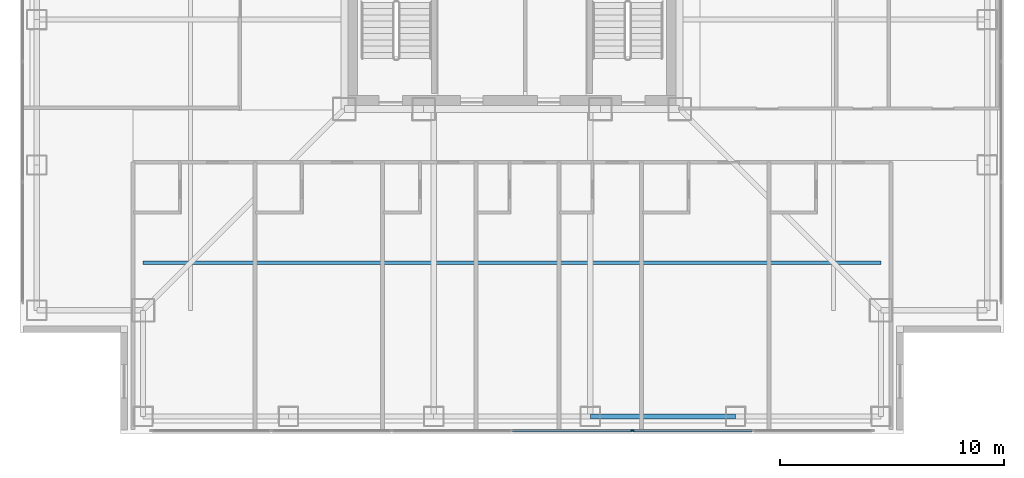
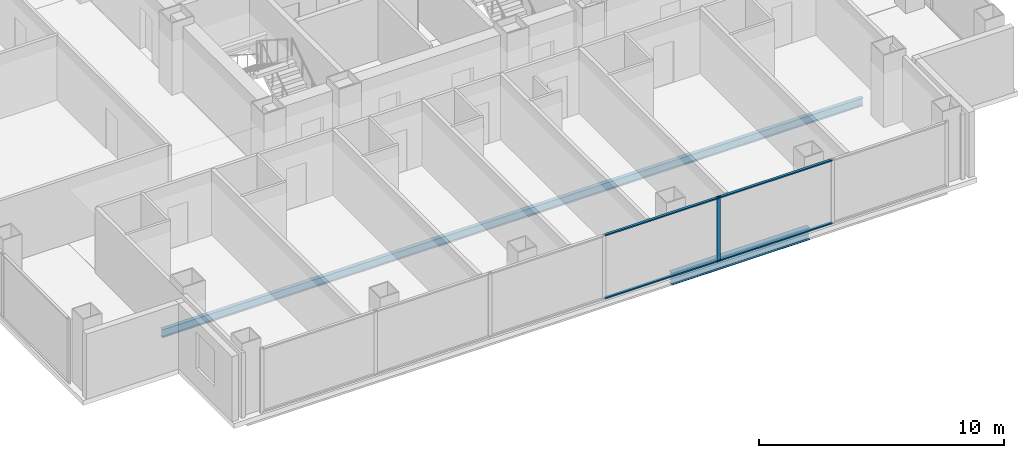
# One storey, part 3 of 18: 5 members, 2 beams, 1 element without a shape of its own.
"""IFC4 building model written with IfcOpenShell, lengths in metres."""

from ifc_helpers import new_model, si_unit, direction, frame, origin, origin_2d, place, context, subcontext, project, spatial, rectangle, i_section, extrude, material, layer, layer_set, material_profile, profile_set, type_object, element, aggregate, save


model = new_model("IFC4")

# Units and contexts
model_context = context("Model", 3, precision=1e-05, world=origin(), true_north=direction((0.0, 1.0)))
body_context = subcontext(model_context, "Body", "Model", "MODEL_VIEW")
ifc_project = project(units=[si_unit("LENGTHUNIT", "METRE"), si_unit("AREAUNIT", "SQUARE_METRE"), si_unit("VOLUMEUNIT", "CUBIC_METRE"), si_unit("PLANEANGLEUNIT", "RADIAN"), si_unit("MASSUNIT", "GRAM", prefix="KILO")], contexts=[model_context])

# Site, building, storey
site_placement = place(None, origin())
site = spatial("IfcSite", under=ifc_project, at=site_placement, CompositionType="ELEMENT")
building_placement = place(site_placement, origin())
building = spatial("IfcBuilding", under=site, at=building_placement, Name="Trevonay Congress Spire", CompositionType="ELEMENT")
storey_placement = place(building_placement, frame((0.0, 0.0, 151.60009765625)))
storey = spatial("IfcBuildingStorey", under=building, at=storey_placement, Name="L39", CompositionType="ELEMENT", Elevation=151.60009765625)

# Beam
ifc_material_1 = material(Name="Steel ASTM A572 Grade 50", Category="steel")
ifc_material_profile_1 = material_profile(ifc_material_1, i_section(OverallWidth=0.22802734375, OverallDepth=0.60791015625, WebThickness=0.01123046875, FlangeThickness=0.017333984375, FilletRadius=0.01611328125, at=origin_2d()), Name="W610x113")
ifc_profile_set_1 = profile_set([ifc_material_profile_1], Name="Steel ASTM A572 Grade 50")
beam_type_1 = type_object("IfcBeamType", Name="BM-RING-W610X113", PredefinedType="BEAM", material=ifc_profile_set_1)
beam_1_placement = place(storey_placement, frame((3.5, -21.25, -0.544189453125), z_axis=(1.0, 0.0, 0.0), x_axis=(0.0, 1.0, 0.0)))
element("IfcBeam", 1, at=beam_1_placement, inside=storey, type_object=beam_type_1, Name="L39 structural beam BM-L39-PS4", PredefinedType="BEAM", context=body_context, shape_type="SweptSolid", body=[
    extrude(i_section(OverallWidth=0.22802734375, OverallDepth=0.60791015625, WebThickness=0.01123046875, FlangeThickness=0.017333984375, FilletRadius=0.01611328125, at=origin_2d()), origin(), (0.0, 0.0, 1.0), 6.5),
])

# Curtain wall, members
ifc_material_2 = material(Name="Pale Anodised Aluminium EN AW-6063-T6", Category="aluminium")
ifc_layer = layer(ifc_material_2, 0.175048828125, Name="Pale Anodised Aluminium EN AW-6063-T6")
ifc_layer_set = layer_set([ifc_layer], Name="Pale Anodised Aluminium EN AW-6063-T6")
curtain_wall_type = type_object("IfcCurtainWallType", Name="CW-SYS03-CONGRESS-PALE-METAL", PredefinedType="NOTDEFINED", material=ifc_layer_set)
curtain_wall_placement = place(storey_placement, origin())
curtain_wall = element("IfcCurtainWall", 2, at=curtain_wall_placement, inside=storey, type_object=curtain_wall_type, Name="L39 S unitised curtain wall", PredefinedType="NOTDEFINED")
ifc_material_profile_2 = material_profile(ifc_material_2, rectangle(XDim=0.06005859375, YDim=0.159912109375, at=origin_2d()), Name="CW-MULLION-160-ALUMINIUM")
ifc_profile_set_2 = profile_set([ifc_material_profile_2], Name="Pale Anodised Aluminium EN AW-6063-T6")
member_type_1 = type_object("IfcMemberType", Name="CW-MULLION-160-ALUMINIUM", PredefinedType="MULLION", material=ifc_profile_set_2)
member_1_placement = place(storey_placement, frame((5.38330078125, -21.8798828125, 0.0), z_axis=(0.0, 0.0, 1.0), x_axis=(0.0, 1.0, 0.0)))
member_1 = element("IfcMember", 3, at=member_1_placement, type_object=member_type_1, Name="CW03 mullion 5", PredefinedType="MULLION", context=body_context, shape_type="SweptSolid", body=[
    extrude(rectangle(XDim=0.06005859375, YDim=0.159912109375, at=origin_2d()), origin(), (0.0, 0.0, 1.0), 3.25),
])
ifc_material_profile_3 = material_profile(ifc_material_2, rectangle(XDim=0.1201171875, YDim=0.06005859375, at=origin_2d()), Name="CW-TRANSOM-120-ALUMINIUM")
ifc_profile_set_3 = profile_set([ifc_material_profile_3], Name="Pale Anodised Aluminium EN AW-6063-T6")
member_type_2 = type_object("IfcMemberType", Name="CW-TRANSOM-120-ALUMINIUM", PredefinedType="USERDEFINED", material=ifc_profile_set_3)
member_2_placement = place(storey_placement, frame((0.030029296875, -21.8798828125, 0.059814453125), z_axis=(1.0, 0.0, 0.0), x_axis=(0.0, 1.0, 0.0)))
member_2 = element("IfcMember", 4, at=member_2_placement, type_object=member_type_2, Name="CW03 transom 4.1", ObjectType="TRANSOM", PredefinedType="USERDEFINED", context=body_context, shape_type="SweptSolid", body=[
    extrude(rectangle(XDim=0.1201171875, YDim=0.06005859375, at=origin_2d()), origin(), (0.0, 0.0, 1.0), 5.3232421875),
])
member_3_placement = place(storey_placement, frame((0.030029296875, -21.8798828125, 3.18994140625), z_axis=(1.0, 0.0, 0.0), x_axis=(0.0, 1.0, 0.0)))
member_3 = element("IfcMember", 5, at=member_3_placement, type_object=member_type_2, Name="CW03 transom 4.2", ObjectType="TRANSOM", PredefinedType="USERDEFINED", context=body_context, shape_type="SweptSolid", body=[
    extrude(rectangle(XDim=0.1201171875, YDim=0.06005859375, at=origin_2d()), origin(), (0.0, 0.0, 1.0), 5.3232421875),
])
member_4_placement = place(storey_placement, frame((5.413330078125, -21.8798828125, 0.059814453125), z_axis=(1.0, 0.0, 0.0), x_axis=(0.0, 1.0, 0.0)))
member_4 = element("IfcMember", 6, at=member_4_placement, type_object=member_type_2, Name="CW03 transom 5.1", ObjectType="TRANSOM", PredefinedType="USERDEFINED", context=body_context, shape_type="SweptSolid", body=[
    extrude(rectangle(XDim=0.1201171875, YDim=0.06005859375, at=origin_2d()), origin(), (0.0, 0.0, 1.0), 5.3232421875),
])
member_5_placement = place(storey_placement, frame((5.413330078125, -21.8798828125, 3.18994140625), z_axis=(1.0, 0.0, 0.0), x_axis=(0.0, 1.0, 0.0)))
member_5 = element("IfcMember", 7, at=member_5_placement, type_object=member_type_2, Name="CW03 transom 5.2", ObjectType="TRANSOM", PredefinedType="USERDEFINED", context=body_context, shape_type="SweptSolid", body=[
    extrude(rectangle(XDim=0.1201171875, YDim=0.06005859375, at=origin_2d()), origin(), (0.0, 0.0, 1.0), 5.3232421875),
])
aggregate(curtain_wall, [member_1, member_2, member_3, member_4, member_5])

# Beam
ifc_material_profile_4 = material_profile(ifc_material_1, i_section(OverallWidth=0.177978515625, OverallDepth=0.406982421875, WebThickness=0.0078125, FlangeThickness=0.0126953125, FilletRadius=0.012939453125, at=origin_2d()), Name="W410x60")
ifc_profile_set_4 = profile_set([ifc_material_profile_4], Name="Steel ASTM A572 Grade 50")
beam_type_2 = type_object("IfcBeamType", Name="JS-COMP-W410X60", PredefinedType="JOIST", material=ifc_profile_set_4)
beam_2_placement = place(storey_placement, frame((-16.5, -14.375, -0.443603515625), z_axis=(1.0, 0.0, 0.0), x_axis=(0.0, 1.0, 0.0)))
element("IfcBeam", 8, at=beam_2_placement, inside=storey, type_object=beam_type_2, Name="L39 structural beam JS-L39-RING-S", PredefinedType="JOIST", context=body_context, shape_type="SweptSolid", body=[
    extrude(i_section(OverallWidth=0.177978515625, OverallDepth=0.406982421875, WebThickness=0.0078125, FlangeThickness=0.0126953125, FilletRadius=0.012939453125, at=origin_2d()), origin(), (0.0, 0.0, 1.0), 33.0),
])

save(model, "model.ifc")
